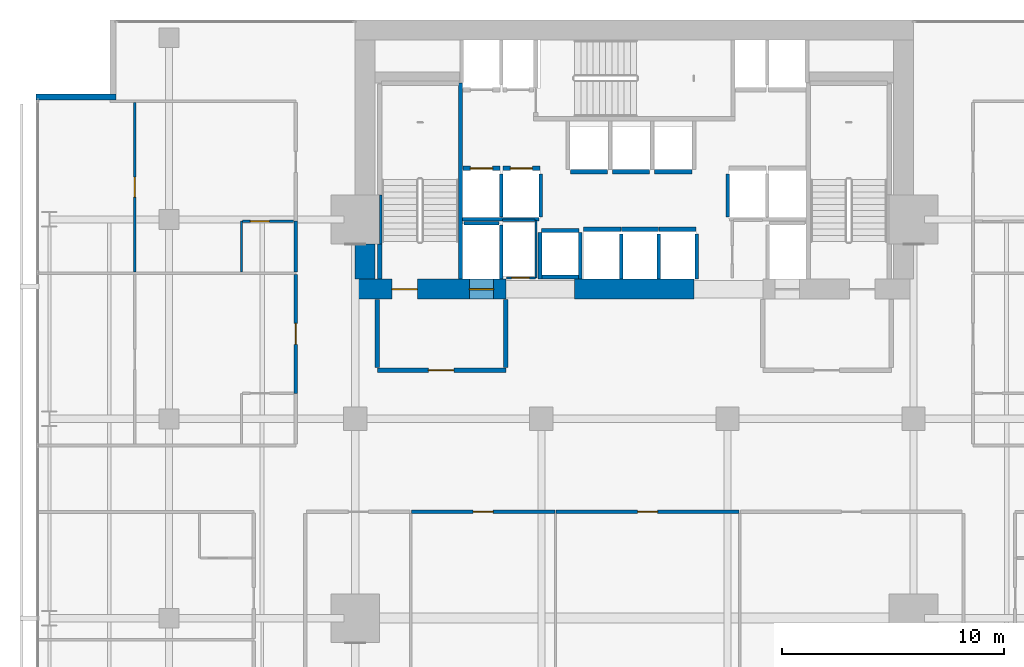
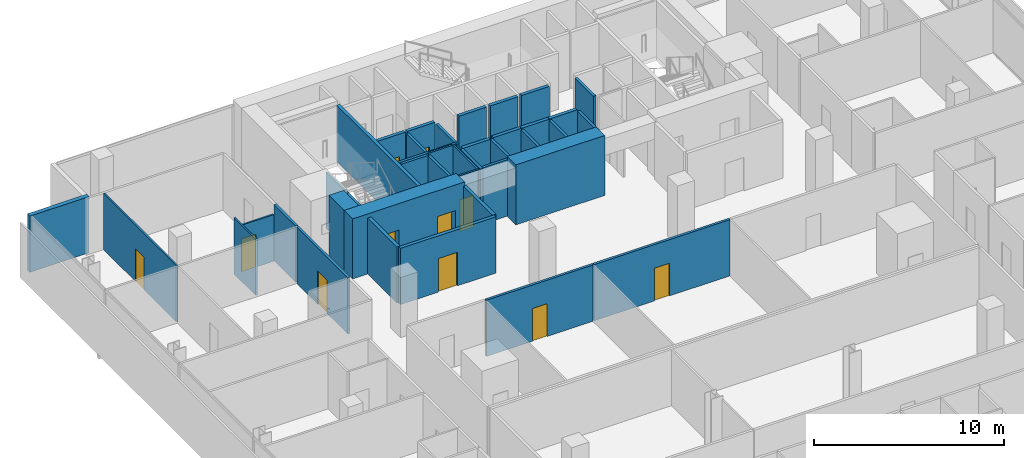
# One storey, part 35 of 40: 41 walls, 11 doors, 11 openings.
"""IFC4 building model written with IfcOpenShell, lengths in metres."""

from ifc_helpers import new_model, si_unit, direction, frame, frame_2d, origin, place, context, subcontext, project, spatial, rectangle, extrude, material, layer, layer_set, type_object, element, fill, save


model = new_model("IFC4")

# Units and contexts
model_context = context("Model", 3, precision=1e-05, world=origin(), true_north=direction((0.0, 1.0)))
body_context = subcontext(model_context, "Body", "Model", "MODEL_VIEW")
ifc_project = project(units=[si_unit("LENGTHUNIT", "METRE"), si_unit("AREAUNIT", "SQUARE_METRE"), si_unit("VOLUMEUNIT", "CUBIC_METRE"), si_unit("PLANEANGLEUNIT", "RADIAN"), si_unit("MASSUNIT", "GRAM", prefix="KILO")], contexts=[model_context])

# Site, building, storey
site_placement = place(None, origin())
site = spatial("IfcSite", under=ifc_project, at=site_placement, CompositionType="ELEMENT")
building_placement = place(site_placement, origin())
building = spatial("IfcBuilding", under=site, at=building_placement, Name="Maruvema Waterfront Hotel and Observation Tower", CompositionType="ELEMENT")
storey_placement = place(building_placement, frame((0.0, 0.0, 92.39990234375)))
storey = spatial("IfcBuildingStorey", under=building, at=storey_placement, Name="L22", CompositionType="ELEMENT", Elevation=92.39990234375)

# Wall, opening, door
ifc_material_1 = material(Name="Twin-stud acoustic gypsum drywall", Category="gypsum")
ifc_layer_1 = layer(ifc_material_1, 0.14990234375, Name="Acoustic Corridor and Suite Demising Wall 150 mm")
ifc_layer_set_1 = layer_set([ifc_layer_1], Name="Twin-stud acoustic gypsum drywall")
wall_type_1 = type_object("IfcWallType", Name="Acoustic Corridor and Suite Demising Wall 150 mm", PredefinedType="PARTITIONING", material=ifc_layer_set_1)
wall_1_placement = place(storey_placement, frame((27.73193359375, 31.800048828125, 0.0), z_axis=(0.0, 0.0, 1.0), x_axis=(1.0, 0.0, 0.0)))
wall_1 = element("IfcWall", 1, at=wall_1_placement, inside=storey, type_object=wall_type_1, Name="L22 L22-INTN Front 2 017", PredefinedType="PARTITIONING", context=body_context, shape_type="SweptSolid", body=[
    extrude(rectangle(XDim=6.47412109375, YDim=0.14990234375, at=frame_2d((3.237060546875, 0.0))), origin(), (0.0, 0.0, 1.0), 3.610107421875),
])
opening_1_placement = place(wall_1_placement, frame((2.787109375, 0.0, 0.0)))
opening_1 = element("IfcOpeningElement", 2, at=opening_1_placement, cuts=wall_1, Name="Opening DR-090", PredefinedType="OPENING", context=body_context, shape_type="SweptSolid", body=[
    extrude(rectangle(XDim=0.89990234375, YDim=2.10009765625, at=frame_2d((0.449951171875, 1.050048828125))), frame((0.0, 0.0849609375, 0.0), z_axis=(0.0, -1.0, 0.0), x_axis=(1.0, 0.0, 0.0)), (0.0, 0.0, 1.0), 0.169921875),
])
ifc_material_2 = material(Name="Solid-core lacquered timber leaf", Category="wood")
door_type_1 = type_object("IfcDoorType", Name="Accessible Toilet and Room Door 900x2100 mm", OperationType="NOTDEFINED", PredefinedType="DOOR", material=ifc_material_2)
door_1_placement = place(opening_1_placement, origin())
door_1 = element("IfcDoor", 3, at=door_1_placement, inside=storey, type_object=door_type_1, Name="L22 Art Gallery Lounge 2 Door", OperationType="SINGLE_SWING_RIGHT", OverallHeight=2.10009765625, OverallWidth=0.89990234375, PredefinedType="DOOR", context=body_context, shape_type="SweptSolid", body=[
    extrude(rectangle(XDim=0.89990234375, YDim=2.10009765625, at=frame_2d((0.449951171875, 1.050048828125))), frame((0.0, 0.02490234375, 0.0), z_axis=(0.0, -1.0, 0.0), x_axis=(1.0, 0.0, 0.0)), (0.0, 0.0, 1.0), 0.050048828125),
])
fill(opening_1, door_1)

wall_2_placement = place(storey_placement, frame((34.26611328125, 31.800048828125, 0.0), z_axis=(0.0, 0.0, 1.0), x_axis=(1.0, 0.0, 0.0)))
wall_2 = element("IfcWall", 4, at=wall_2_placement, inside=storey, type_object=wall_type_1, Name="L22 L22-INTN Front 3 019", PredefinedType="PARTITIONING", context=body_context, shape_type="SweptSolid", body=[
    extrude(rectangle(XDim=8.255859375, YDim=0.14990234375, at=frame_2d((4.1279296875, 0.0))), origin(), (0.0, 0.0, 1.0), 3.610107421875),
])
opening_2_placement = place(wall_2_placement, frame((3.677978515625, 0.0, 0.0)))
opening_2 = element("IfcOpeningElement", 5, at=opening_2_placement, cuts=wall_2, Name="Opening DR-090", PredefinedType="OPENING", context=body_context, shape_type="SweptSolid", body=[
    extrude(rectangle(XDim=0.89990234375, YDim=2.10009765625, at=frame_2d((0.449951171875, 1.050048828125))), frame((0.0, 0.0849609375, 0.0), z_axis=(0.0, -1.0, 0.0), x_axis=(1.0, 0.0, 0.0)), (0.0, 0.0, 1.0), 0.169921875),
])
door_2_placement = place(opening_2_placement, origin())
door_2 = element("IfcDoor", 6, at=door_2_placement, inside=storey, type_object=door_type_1, Name="L22 Art Gallery Lounge 3 Door", OperationType="SINGLE_SWING_LEFT", OverallHeight=2.10009765625, OverallWidth=0.89990234375, PredefinedType="DOOR", context=body_context, shape_type="SweptSolid", body=[
    extrude(rectangle(XDim=0.89990234375, YDim=2.10009765625, at=frame_2d((0.449951171875, 1.050048828125))), frame((0.0, 0.02490234375, 0.0), z_axis=(0.0, -1.0, 0.0), x_axis=(1.0, 0.0, 0.0)), (0.0, 0.0, 1.0), 0.050048828125),
])
fill(opening_2, door_2)

wall_3_placement = place(storey_placement, frame((22.52001953125, 37.14990234375, 0.0), z_axis=(0.0, 0.0, 1.0), x_axis=(0.0, 1.0, 0.0)))
wall_3 = element("IfcWall", 7, at=wall_3_placement, inside=storey, type_object=wall_type_1, Name="L22 Room L22-NW1 Corridor Wall 094", PredefinedType="PARTITIONING", context=body_context, shape_type="SweptSolid", body=[
    extrude(rectangle(XDim=5.35888671875, YDim=0.14990234375, at=frame_2d((2.679443359375, 0.0))), origin(), (0.0, 0.0, 1.0), 3.610107421875),
])
opening_3_placement = place(wall_3_placement, frame((2.204345703125, 0.0, 0.0)))
opening_3 = element("IfcOpeningElement", 8, at=opening_3_placement, cuts=wall_3, Name="Opening DR-095", PredefinedType="OPENING", context=body_context, shape_type="SweptSolid", body=[
    extrude(rectangle(XDim=0.949951171875, YDim=2.14990234375, at=frame_2d((0.47509765625, 1.074951171875))), frame((0.0, 0.0849609375, 0.0), z_axis=(0.0, -1.0, 0.0), x_axis=(1.0, 0.0, 0.0)), (0.0, 0.0, 1.0), 0.169921875),
])
ifc_material_3 = material(Name="Acoustic solid-core hardwood timber leaf", Category="wood")
door_type_2 = type_object("IfcDoorType", Name="Guestroom Entrance Fire Door 950x2150 mm", OperationType="NOTDEFINED", PredefinedType="DOOR", material=ifc_material_3)
door_3_placement = place(opening_3_placement, origin())
door_3 = element("IfcDoor", 9, at=door_3_placement, inside=storey, type_object=door_type_2, Name="L22 Room L22-NW1 Entrance Door", OperationType="SINGLE_SWING_RIGHT", OverallHeight=2.14990234375, OverallWidth=0.949951171875, PredefinedType="DOOR", context=body_context, shape_type="SweptSolid", body=[
    extrude(rectangle(XDim=0.949951171875, YDim=2.14990234375, at=frame_2d((0.47509765625, 1.074951171875))), frame((0.0, 0.02490234375, 0.0), z_axis=(0.0, -1.0, 0.0), x_axis=(1.0, 0.0, 0.0)), (0.0, 0.0, 1.0), 0.050048828125),
])
fill(opening_3, door_3)

# Walls
wall_4_placement = place(storey_placement, frame((22.52001953125, 42.628662109375, 0.0), z_axis=(0.0, 0.0, 1.0), x_axis=(0.0, 1.0, 0.0)))
element("IfcWall", 10, at=wall_4_placement, inside=storey, type_object=wall_type_1, Name="L22 Bath L22-NW2 Wall 105", PredefinedType="PARTITIONING", context=body_context, shape_type="SweptSolid", body=[
    extrude(rectangle(XDim=2.2900390625, YDim=0.14990234375, at=frame_2d((1.14501953125, 0.0))), origin(), (0.0, 0.0, 1.0), 3.610107421875),
])
ifc_material_4 = material(Name="Precast concrete C45/55", Category="concrete")
ifc_layer_2 = layer(ifc_material_4, 0.199951171875, Name="Core Shaft and Stairwell Enclosure Wall 200 mm")
ifc_layer_set_2 = layer_set([ifc_layer_2], Name="Precast concrete C45/55")
wall_type_2 = type_object("IfcWallType", Name="Core Shaft and Stairwell Enclosure Wall 200 mm", PredefinedType="SOLIDWALL", material=ifc_layer_set_2)
wall_5_placement = place(storey_placement, frame((29.949951171875, 42.300048828125, 0.0), z_axis=(0.0, 0.0, 1.0), x_axis=(0.0, 1.0, 0.0)))
element("IfcWall", 11, at=wall_5_placement, inside=storey, type_object=wall_type_2, Name="L22 Stairwell ST-01 East Shaft Wall", PredefinedType="SOLIDWALL", context=body_context, shape_type="SweptSolid", body=[
    extrude(rectangle(XDim=8.849853515625, YDim=0.199951171875, at=frame_2d((4.4248046875, 0.0))), origin(), (0.0, 0.0, 1.0), 3.610107421875),
])
wall_6_placement = place(storey_placement, frame((26.300048828125, 42.300048828125, 0.0), z_axis=(0.0, 0.0, 1.0), x_axis=(0.0, 1.0, 0.0)))
element("IfcWall", 12, at=wall_6_placement, inside=storey, type_object=wall_type_2, Name="L22 Stairwell ST-01 Shaft Lining Wall", PredefinedType="SOLIDWALL", context=body_context, shape_type="SweptSolid", body=[
    extrude(rectangle(XDim=1.579833984375, YDim=0.199951171875, at=frame_2d((0.7900390625, 0.0))), origin(), (0.0, 0.0, 1.0), 3.610107421875),
])

# Wall, opening, door
wall_7_placement = place(storey_placement, frame((30.06005859375, 47.300048828125, 0.0), z_axis=(0.0, 0.0, 1.0), x_axis=(1.0, 0.0, 0.0)))
wall_7 = element("IfcWall", 13, at=wall_7_placement, inside=storey, type_object=wall_type_2, Name="L22 Lift LF-01 Hoistway Front Wall", PredefinedType="SOLIDWALL", context=body_context, shape_type="SweptSolid", body=[
    extrude(rectangle(XDim=1.679931640625, YDim=0.199951171875, at=frame_2d((0.83984375, 0.0))), origin(), (0.0, 0.0, 1.0), 3.610107421875),
])
opening_4_placement = place(wall_7_placement, frame((0.340087890625, 0.0, 0.0)))
opening_4 = element("IfcOpeningElement", 14, at=opening_4_placement, cuts=wall_7, Name="Opening LD-01", PredefinedType="OPENING", context=body_context, shape_type="SweptSolid", body=[
    extrude(rectangle(XDim=1.0, YDim=2.14990234375, at=frame_2d((0.5, 1.074951171875))), frame((0.0, 0.10986328125, 0.0), z_axis=(0.0, -1.0, 0.0), x_axis=(1.0, 0.0, 0.0)), (0.0, 0.0, 1.0), 0.219970703125),
])
ifc_material_5 = material(Name="Brushed stainless steel Grade 316", Category="steel")
door_type_3 = type_object("IfcDoorType", Name="Passenger Lift Sliding Landing Door 1000x2150 mm", OperationType="SLIDING_TO_LEFT", PredefinedType="DOOR", material=ifc_material_5)
door_4_placement = place(opening_4_placement, origin())
door_4 = element("IfcDoor", 15, at=door_4_placement, inside=storey, type_object=door_type_3, Name="L22 Lift LF-01 Sliding Landing Door", OperationType="SLIDING_TO_LEFT", OverallHeight=2.14990234375, OverallWidth=1.0, PredefinedType="DOOR", context=body_context, shape_type="SweptSolid", body=[
    extrude(rectangle(XDim=1.0, YDim=2.14990234375, at=frame_2d((0.5, 1.074951171875))), frame((0.0, 0.02490234375, 0.0), z_axis=(0.0, -1.0, 0.0), x_axis=(1.0, 0.0, 0.0)), (0.0, 0.0, 1.0), 0.050048828125),
])
fill(opening_4, door_4)

wall_8_placement = place(storey_placement, frame((31.860107421875, 47.300048828125, 0.0), z_axis=(0.0, 0.0, 1.0), x_axis=(1.0, 0.0, 0.0)))
wall_8 = element("IfcWall", 16, at=wall_8_placement, inside=storey, type_object=wall_type_2, Name="L22 Lift LF-02 Hoistway Front Wall", PredefinedType="SOLIDWALL", context=body_context, shape_type="SweptSolid", body=[
    extrude(rectangle(XDim=1.679931640625, YDim=0.199951171875, at=frame_2d((0.83984375, 0.0))), origin(), (0.0, 0.0, 1.0), 3.610107421875),
])
opening_5_placement = place(wall_8_placement, frame((0.340087890625, 0.0, 0.0)))
opening_5 = element("IfcOpeningElement", 17, at=opening_5_placement, cuts=wall_8, Name="Opening LD-01", PredefinedType="OPENING", context=body_context, shape_type="SweptSolid", body=[
    extrude(rectangle(XDim=1.0, YDim=2.14990234375, at=frame_2d((0.5, 1.074951171875))), frame((0.0, 0.10986328125, 0.0), z_axis=(0.0, -1.0, 0.0), x_axis=(1.0, 0.0, 0.0)), (0.0, 0.0, 1.0), 0.219970703125),
])
door_5_placement = place(opening_5_placement, origin())
door_5 = element("IfcDoor", 18, at=door_5_placement, inside=storey, type_object=door_type_3, Name="L22 Lift LF-02 Sliding Landing Door", OperationType="SLIDING_TO_LEFT", OverallHeight=2.14990234375, OverallWidth=1.0, PredefinedType="DOOR", context=body_context, shape_type="SweptSolid", body=[
    extrude(rectangle(XDim=1.0, YDim=2.14990234375, at=frame_2d((0.5, 1.074951171875))), frame((0.0, 0.02490234375, 0.0), z_axis=(0.0, -1.0, 0.0), x_axis=(1.0, 0.0, 0.0)), (0.0, 0.0, 1.0), 0.050048828125),
])
fill(opening_5, door_5)

# Walls
for number, where, z_axis, x_axis, name in (
    (19, (35.510009765625, 44.550048828125, 0.0), (0.0, 0.0, 1.0), (1.0, 0.0, 0.0), "L22 Lift LF-09 Hoistway Front Wall"),
    (20, (37.2099609375, 44.550048828125, 0.0), (0.0, 0.0, 1.0), (1.0, 0.0, 0.0), "L22 Lift LF-10 Hoistway Front Wall"),
):
    element("IfcWall", number, at=place(storey_placement, frame(where, z_axis=z_axis, x_axis=x_axis)), inside=storey, type_object=wall_type_2, Name=name, PredefinedType="SOLIDWALL", context=body_context, shape_type="SweptSolid", body=[
        extrude(rectangle(XDim=1.679931640625, YDim=0.199951171875, at=frame_2d((0.83984375, 0.0))), origin(), (0.0, 0.0, 1.0), 3.610107421875),
    ])
for number, where, z_axis, x_axis, name in (
    (21, (38.909912109375, 44.550048828125, 0.0), (0.0, 0.0, 1.0), (1.0, 0.0, 0.0), "L22 Lift LF-11 Hoistway Front Wall"),
    (22, (34.909912109375, 47.14990234375, 0.0), (0.0, 0.0, 1.0), (1.0, 0.0, 0.0), "L22 Lift LF-12 Hoistway Front Wall"),
):
    element("IfcWall", number, at=place(storey_placement, frame(where, z_axis=z_axis, x_axis=x_axis)), inside=storey, type_object=wall_type_2, Name=name, PredefinedType="SOLIDWALL", context=body_context, shape_type="SweptSolid", body=[
        extrude(rectangle(XDim=1.68017578125, YDim=0.199951171875, at=frame_2d((0.840087890625, 0.0))), origin(), (0.0, 0.0, 1.0), 3.610107421875),
    ])
for number, where, z_axis, x_axis, name in (
    (23, (36.81005859375, 47.14990234375, 0.0), (0.0, 0.0, 1.0), (1.0, 0.0, 0.0), "L22 Lift LF-13 Hoistway Front Wall"),
    (24, (38.7099609375, 47.14990234375, 0.0), (0.0, 0.0, 1.0), (1.0, 0.0, 0.0), "L22 Lift LF-14 Hoistway Front Wall"),
    (25, (33.610107421875, 44.5, 0.0), (0.0, 0.0, 1.0), (1.0, 0.0, 0.0), "L22 Lift LF-15 Hoistway Front Wall"),
):
    element("IfcWall", number, at=place(storey_placement, frame(where, z_axis=z_axis, x_axis=x_axis)), inside=storey, type_object=wall_type_2, Name=name, PredefinedType="SOLIDWALL", context=body_context, shape_type="SweptSolid", body=[
        extrude(rectangle(XDim=1.679931640625, YDim=0.199951171875, at=frame_2d((0.83984375, 0.0))), origin(), (0.0, 0.0, 1.0), 3.610107421875),
    ])

# Wall, openings, doors
ifc_material_6 = material(Name="Concrete C80/95", Category="concrete")
ifc_layer_3 = layer(ifc_material_6, 0.89990234375, Name="Core Shear Wall 900 mm")
ifc_layer_set_3 = layer_set([ifc_layer_3], Name="Concrete C80/95")
wall_type_3 = type_object("IfcWallType", Name="Core Shear Wall 900 mm", PredefinedType="SHEAR", material=ifc_layer_set_3)
wall_9_placement = place(storey_placement, frame((25.199951171875, 41.85009765625, 0.0), z_axis=(0.0, 0.0, 1.0), x_axis=(1.0, 0.0, 0.0)))
wall_9 = element("IfcWall", 26, at=wall_9_placement, inside=storey, type_object=wall_type_3, Name="L22 South-West Core Shear Wall", PredefinedType="SHEAR", context=body_context, shape_type="SweptSolid", body=[
    extrude(rectangle(XDim=6.800048828125, YDim=0.89990234375, at=frame_2d((3.39990234375, 0.0))), origin(), (0.0, 0.0, 1.0), 3.85009765625),
])
opening_6_placement = place(wall_9_placement, frame((1.64990234375, 0.0, 0.0)))
opening_6 = element("IfcOpeningElement", 27, at=opening_6_placement, cuts=wall_9, Name="Opening SD-01", PredefinedType="OPENING", context=body_context, shape_type="SweptSolid", body=[
    extrude(rectangle(XDim=1.14990234375, YDim=2.14990234375, at=frame_2d((0.574951171875, 1.074951171875))), frame((0.0, 0.4599609375, 0.0), z_axis=(0.0, -1.0, 0.0), x_axis=(1.0, 0.0, 0.0)), (0.0, 0.0, 1.0), 0.919921875),
])
opening_7_placement = place(wall_9_placement, frame((5.14990234375, 0.0, 0.0)))
opening_7 = element("IfcOpeningElement", 28, at=opening_7_placement, cuts=wall_9, Name="Opening LD-03", PredefinedType="OPENING", context=body_context, shape_type="SweptSolid", body=[
    extrude(rectangle(XDim=1.10009765625, YDim=2.199951171875, at=frame_2d((0.550048828125, 1.10009765625))), frame((0.0, 0.4599609375, 0.0), z_axis=(0.0, -1.0, 0.0), x_axis=(1.0, 0.0, 0.0)), (0.0, 0.0, 1.0), 0.919921875),
])
ifc_material_7 = material(Name="Fire-rated galvanised steel leaf", Category="steel")
door_type_4 = type_object("IfcDoorType", Name="Exit Stair Fire Door 1150x2150 mm", OperationType="NOTDEFINED", PredefinedType="DOOR", material=ifc_material_7)
door_6_placement = place(opening_6_placement, origin())
door_6 = element("IfcDoor", 29, at=door_6_placement, inside=storey, type_object=door_type_4, Name="L22 Exit Stair ST-01 Fire Door", OperationType="SINGLE_SWING_LEFT", OverallHeight=2.14990234375, OverallWidth=1.14990234375, PredefinedType="DOOR", context=body_context, shape_type="SweptSolid", body=[
    extrude(rectangle(XDim=1.14990234375, YDim=2.14990234375, at=frame_2d((0.574951171875, 1.074951171875))), frame((0.0, 0.02490234375, 0.0), z_axis=(0.0, -1.0, 0.0), x_axis=(1.0, 0.0, 0.0)), (0.0, 0.0, 1.0), 0.050048828125),
])
fill(opening_6, door_6)
ifc_material_8 = material(Name="Brushed stainless steel Grade 316", Category="steel")
door_type_5 = type_object("IfcDoorType", Name="Firefighting Lift Sliding Landing Door 1100x2200 mm", OperationType="SLIDING_TO_LEFT", PredefinedType="DOOR", material=ifc_material_8)
door_7_placement = place(opening_7_placement, frame((1.10009765625, 0.0, 0.0), z_axis=(0.0, 0.0, 1.0), x_axis=(-1.0, 0.0, 0.0)))
door_7 = element("IfcDoor", 30, at=door_7_placement, inside=storey, type_object=door_type_5, Name="L22 Firefighting Lift FL-01 Landing Door", OperationType="SLIDING_TO_LEFT", OverallHeight=2.199951171875, OverallWidth=1.10009765625, PredefinedType="DOOR", context=body_context, shape_type="SweptSolid", body=[
    extrude(rectangle(XDim=1.10009765625, YDim=2.199951171875, at=frame_2d((0.550048828125, 1.10009765625))), frame((0.0, 0.02490234375, 0.0), z_axis=(0.0, -1.0, 0.0), x_axis=(1.0, 0.0, 0.0)), (0.0, 0.0, 1.0), 0.050048828125),
])
fill(opening_7, door_7)

# Walls
wall_10_placement = place(storey_placement, frame((35.10009765625, 41.85009765625, 0.0), z_axis=(0.0, 0.0, 1.0), x_axis=(1.0, 0.0, 0.0)))
element("IfcWall", 31, at=wall_10_placement, inside=storey, type_object=wall_type_3, Name="L22 South-Central Core Shear Wall", PredefinedType="SHEAR", context=body_context, shape_type="SweptSolid", body=[
    extrude(rectangle(XDim=5.39990234375, YDim=0.89990234375, at=frame_2d((2.699951171875, 0.0))), origin(), (0.0, 0.0, 1.0), 3.85009765625),
])
wall_11_placement = place(storey_placement, frame((25.64990234375, 42.300048828125, 0.0), z_axis=(0.0, 0.0, 1.0), x_axis=(0.0, 1.0, 0.0)))
element("IfcWall", 32, at=wall_11_placement, inside=storey, type_object=wall_type_3, Name="L22 West-South Core Shear Wall", PredefinedType="SHEAR", context=body_context, shape_type="SweptSolid", body=[
    extrude(rectangle(XDim=1.599853515625, YDim=0.89990234375, at=frame_2d((0.7998046875, 0.0))), origin(), (0.0, 0.0, 1.0), 3.85009765625),
])

# Wall, opening, door
ifc_material_9 = material(Name="Moisture-resistant cement-board drywall", Category="gypsum")
ifc_layer_4 = layer(ifc_material_9, 0.10009765625, Name="En-Suite Moisture-Resistant Partition 100 mm")
ifc_layer_set_4 = layer_set([ifc_layer_4], Name="Moisture-resistant cement-board drywall")
wall_type_4 = type_object("IfcWallType", Name="En-Suite Moisture-Resistant Partition 100 mm", PredefinedType="PARTITIONING", material=ifc_layer_set_4)
wall_12_placement = place(storey_placement, frame((32.02001953125, 42.360107421875, 0.0), z_axis=(0.0, 0.0, 1.0), x_axis=(1.0, 0.0, 0.0)))
wall_12 = element("IfcWall", 33, at=wall_12_placement, inside=storey, type_object=wall_type_4, Name="L22 Telecom Riser South Wall 007", PredefinedType="PARTITIONING", context=body_context, shape_type="SweptSolid", body=[
    extrude(rectangle(XDim=1.320068359375, YDim=0.10009765625, at=frame_2d((0.66015625, 0.0))), origin(), (0.0, 0.0, 1.0), 3.610107421875),
])
opening_8_placement = place(wall_12_placement, frame((0.239990234375, 0.0, 0.0)))
opening_8 = element("IfcOpeningElement", 34, at=opening_8_placement, cuts=wall_12, Name="Opening DR-080", PredefinedType="OPENING", context=body_context, shape_type="SweptSolid", body=[
    extrude(rectangle(XDim=0.800048828125, YDim=2.050048828125, at=frame_2d((0.39990234375, 1.02490234375))), frame((0.0, 0.06005859375, 0.0), z_axis=(0.0, -1.0, 0.0), x_axis=(1.0, 0.0, 0.0)), (0.0, 0.0, 1.0), 0.1201171875),
])
ifc_material_10 = material(Name="Powder-coated steel access leaf", Category="steel")
door_type_6 = type_object("IfcDoorType", Name="Riser and Service Cupboard Door 800x2050 mm", OperationType="NOTDEFINED", PredefinedType="DOOR", material=ifc_material_10)
door_8_placement = place(opening_8_placement, frame((0.800048828125, 0.0, 0.0), z_axis=(0.0, 0.0, 1.0), x_axis=(-1.0, 0.0, 0.0)))
door_8 = element("IfcDoor", 35, at=door_8_placement, inside=storey, type_object=door_type_6, Name="L22 Telecom Riser Door", OperationType="SINGLE_SWING_LEFT", OverallHeight=2.050048828125, OverallWidth=0.800048828125, PredefinedType="DOOR", context=body_context, shape_type="SweptSolid", body=[
    extrude(rectangle(XDim=0.800048828125, YDim=2.050048828125, at=frame_2d((0.39990234375, 1.02490234375))), frame((0.0, 0.02490234375, 0.0), z_axis=(0.0, -1.0, 0.0), x_axis=(1.0, 0.0, 0.0)), (0.0, 0.0, 1.0), 0.050048828125),
])
fill(opening_8, door_8)

# Walls
wall_13_placement = place(storey_placement, frame((31.840087890625, 44.9599609375, 0.0), z_axis=(0.0, 0.0, 1.0), x_axis=(1.0, 0.0, 0.0)))
element("IfcWall", 36, at=wall_13_placement, inside=storey, type_object=wall_type_4, Name="L22 Telecom Riser North Wall 008", PredefinedType="PARTITIONING", context=body_context, shape_type="SweptSolid", body=[
    extrude(rectangle(XDim=1.47998046875, YDim=0.10009765625, at=frame_2d((0.739990234375, 0.0))), origin(), (0.0, 0.0, 1.0), 3.610107421875),
])
wall_14_placement = place(storey_placement, frame((33.360107421875, 42.360107421875, 0.0), z_axis=(0.0, 0.0, 1.0), x_axis=(0.0, 1.0, 0.0)))
element("IfcWall", 37, at=wall_14_placement, inside=storey, type_object=wall_type_4, Name="L22 Telecom Riser East Wall 009", PredefinedType="PARTITIONING", context=body_context, shape_type="SweptSolid", body=[
    extrude(rectangle(XDim=2.579833984375, YDim=0.10009765625, at=frame_2d((1.2900390625, 0.0))), origin(), (0.0, 0.0, 1.0), 3.610107421875),
])
wall_15_placement = place(storey_placement, frame((20.070068359375, 42.628662109375, 0.0), z_axis=(0.0, 0.0, 1.0), x_axis=(0.0, 1.0, 0.0)))
element("IfcWall", 38, at=wall_15_placement, inside=storey, type_object=wall_type_4, Name="L22 En-Suite L22-NW2 W 107", PredefinedType="PARTITIONING", context=body_context, shape_type="SweptSolid", body=[
    extrude(rectangle(XDim=2.2900390625, YDim=0.10009765625, at=frame_2d((1.14501953125, 0.0))), origin(), (0.0, 0.0, 1.0), 3.610107421875),
])

# Wall, opening, door
wall_16_placement = place(storey_placement, frame((20.1201171875, 44.918701171875, 0.0), z_axis=(0.0, 0.0, 1.0), x_axis=(1.0, 0.0, 0.0)))
wall_16 = element("IfcWall", 39, at=wall_16_placement, inside=storey, type_object=wall_type_4, Name="L22 En-Suite L22-NW2 N 108", PredefinedType="PARTITIONING", context=body_context, shape_type="SweptSolid", body=[
    extrude(rectangle(XDim=2.2998046875, YDim=0.10009765625, at=frame_2d((1.14990234375, 0.0))), origin(), (0.0, 0.0, 1.0), 2.9990234375),
])
opening_9_placement = place(wall_16_placement, frame((0.35009765625, 0.0, 0.0)))
opening_9 = element("IfcOpeningElement", 40, at=opening_9_placement, cuts=wall_16, Name="Opening DR-085", PredefinedType="OPENING", context=body_context, shape_type="SweptSolid", body=[
    extrude(rectangle(XDim=0.85009765625, YDim=2.10009765625, at=frame_2d((0.425048828125, 1.050048828125))), frame((0.0, 0.06005859375, 0.0), z_axis=(0.0, -1.0, 0.0), x_axis=(1.0, 0.0, 0.0)), (0.0, 0.0, 1.0), 0.1201171875),
])
ifc_material_11 = material(Name="Moisture-resistant solid timber leaf", Category="wood")
door_type_7 = type_object("IfcDoorType", Name="En-Suite Bathroom Door 850x2100 mm", OperationType="NOTDEFINED", PredefinedType="DOOR", material=ifc_material_11)
door_9_placement = place(opening_9_placement, origin())
door_9 = element("IfcDoor", 41, at=door_9_placement, inside=storey, type_object=door_type_7, Name="L22 En-Suite L22-NW2 Door", OperationType="SINGLE_SWING_LEFT", OverallHeight=2.10009765625, OverallWidth=0.85009765625, PredefinedType="DOOR", context=body_context, shape_type="SweptSolid", body=[
    extrude(rectangle(XDim=0.85009765625, YDim=2.10009765625, at=frame_2d((0.425048828125, 1.050048828125))), frame((0.0, 0.02490234375, 0.0), z_axis=(0.0, -1.0, 0.0), x_axis=(1.0, 0.0, 0.0)), (0.0, 0.0, 1.0), 0.050048828125),
])
fill(opening_9, door_9)

wall_17_placement = place(storey_placement, frame((15.24951171875, 42.628662109375, 0.0), z_axis=(0.0, 0.0, 1.0), x_axis=(0.0, 1.0, 0.0)))
wall_17 = element("IfcWall", 42, at=wall_17_placement, inside=storey, type_object=wall_type_4, Name="L22 Suite L22-NW2 Split 109", PredefinedType="PARTITIONING", context=body_context, shape_type="SweptSolid", body=[
    extrude(rectangle(XDim=7.64892578125, YDim=0.10009765625, at=frame_2d((3.824462890625, 0.0))), origin(), (0.0, 0.0, 1.0), 3.610107421875),
])
opening_10_placement = place(wall_17_placement, frame((3.37451171875, 0.0, 0.0)))
opening_10 = element("IfcOpeningElement", 43, at=opening_10_placement, cuts=wall_17, Name="Opening DR-090", PredefinedType="OPENING", context=body_context, shape_type="SweptSolid", body=[
    extrude(rectangle(XDim=0.89990234375, YDim=2.10009765625, at=frame_2d((0.449951171875, 1.050048828125))), frame((0.0, 0.06005859375, 0.0), z_axis=(0.0, -1.0, 0.0), x_axis=(1.0, 0.0, 0.0)), (0.0, 0.0, 1.0), 0.1201171875),
])
door_10_placement = place(opening_10_placement, origin())
door_10 = element("IfcDoor", 44, at=door_10_placement, inside=storey, type_object=door_type_1, Name="L22 Suite L22-NW2 Bedroom Door", OperationType="SINGLE_SWING_LEFT", OverallHeight=2.10009765625, OverallWidth=0.89990234375, PredefinedType="DOOR", context=body_context, shape_type="SweptSolid", body=[
    extrude(rectangle(XDim=0.89990234375, YDim=2.10009765625, at=frame_2d((0.449951171875, 1.050048828125))), frame((0.0, 0.02490234375, 0.0), z_axis=(0.0, -1.0, 0.0), x_axis=(1.0, 0.0, 0.0)), (0.0, 0.0, 1.0), 0.050048828125),
])
fill(opening_10, door_10)

# Wall
ifc_material_12 = material(Name="Precast concrete C45/55 with honed Pernambuco granite facing", Category="masonry")
ifc_layer_5 = layer(ifc_material_12, 0.260009765625, Name="Exterior Granite Clad Spandrel and Pier Wall 260 mm")
ifc_layer_set_5 = layer_set([ifc_layer_5], Name="Precast concrete C45/55 with honed Pernambuco granite facing")
wall_type_5 = type_object("IfcWallType", Name="Exterior Granite Clad Spandrel and Pier Wall 260 mm", PredefinedType="SOLIDWALL", material=ifc_layer_set_5)
wall_18_placement = place(storey_placement, frame((10.800048828125, 50.530029296875, 0.0), z_axis=(0.0, 0.0, 1.0), x_axis=(1.0, 0.0, 0.0)))
element("IfcWall", 45, at=wall_18_placement, inside=storey, type_object=wall_type_5, Name="L22 Corner Notch Granite Pier Wall NW2", PredefinedType="SOLIDWALL", context=body_context, shape_type="SweptSolid", body=[
    extrude(rectangle(XDim=3.599853515625, YDim=0.260009765625, at=frame_2d((1.7998046875, 0.0))), origin(), (0.0, 0.0, 1.0), 3.610107421875),
])

# Wall, opening, door
ifc_material_13 = material(Name="Autoclaved cellular concrete blockwork", Category="masonry")
ifc_layer_6 = layer(ifc_material_13, 0.199951171875, Name="Fire Compartment Masonry Wall 200 mm")
ifc_layer_set_6 = layer_set([ifc_layer_6], Name="Autoclaved cellular concrete blockwork")
wall_type_6 = type_object("IfcWallType", Name="Fire Compartment Masonry Wall 200 mm", PredefinedType="PARTITIONING", material=ifc_layer_set_6)
wall_19_placement = place(storey_placement, frame((26.199951171875, 38.199951171875, 0.0), z_axis=(0.0, 0.0, 1.0), x_axis=(1.0, 0.0, 0.0)))
wall_19 = element("IfcWall", 46, at=wall_19_placement, inside=storey, type_object=wall_type_6, Name="L22 FFL West South Wall 001", PredefinedType="PARTITIONING", context=body_context, shape_type="SweptSolid", body=[
    extrude(rectangle(XDim=5.800048828125, YDim=0.199951171875, at=frame_2d((2.89990234375, 0.0))), origin(), (0.0, 0.0, 1.0), 3.610107421875),
])
opening_11_placement = place(wall_19_placement, frame((2.300048828125, 0.0, 0.0)))
opening_11 = element("IfcOpeningElement", 47, at=opening_11_placement, cuts=wall_19, Name="Opening FD-115", PredefinedType="OPENING", context=body_context, shape_type="SweptSolid", body=[
    extrude(rectangle(XDim=1.14990234375, YDim=2.14990234375, at=frame_2d((0.574951171875, 1.074951171875))), frame((0.0, 0.10986328125, 0.0), z_axis=(0.0, -1.0, 0.0), x_axis=(1.0, 0.0, 0.0)), (0.0, 0.0, 1.0), 0.219970703125),
])
ifc_material_14 = material(Name="Fire-rated galvanised steel and vision glass", Category="steel")
door_type_8 = type_object("IfcDoorType", Name="Firefighting Lobby Fire Door 1150x2150 mm", OperationType="NOTDEFINED", PredefinedType="DOOR", material=ifc_material_14)
door_11_placement = place(opening_11_placement, frame((1.14990234375, 0.0, 0.0), z_axis=(0.0, 0.0, 1.0), x_axis=(-1.0, 0.0, 0.0)))
door_11 = element("IfcDoor", 48, at=door_11_placement, inside=storey, type_object=door_type_8, Name="L22 Firefighting Lobby West Door", OperationType="SINGLE_SWING_LEFT", OverallHeight=2.14990234375, OverallWidth=1.14990234375, PredefinedType="DOOR", context=body_context, shape_type="SweptSolid", body=[
    extrude(rectangle(XDim=1.14990234375, YDim=2.14990234375, at=frame_2d((0.574951171875, 1.074951171875))), frame((0.0, 0.02490234375, 0.0), z_axis=(0.0, -1.0, 0.0), x_axis=(1.0, 0.0, 0.0)), (0.0, 0.0, 1.0), 0.050048828125),
])
fill(opening_11, door_11)

# Walls
for number, where, z_axis, x_axis, name in (
    (49, (26.199951171875, 38.31005859375, 0.0), (0.0, 0.0, 1.0), (0.0, 1.0, 0.0), "L22 FFL West West Wall 002"),
    (50, (32.0, 38.31005859375, 0.0), (0.0, 0.0, 1.0), (0.0, 1.0, 0.0), "L22 FFL West East Wall 003"),
):
    element("IfcWall", number, at=place(storey_placement, frame(where, z_axis=z_axis, x_axis=x_axis)), inside=storey, type_object=wall_type_6, Name=name, PredefinedType="PARTITIONING", context=body_context, shape_type="SweptSolid", body=[
        extrude(rectangle(XDim=3.06982421875, YDim=0.199951171875, at=frame_2d((1.534912109375, 0.0))), origin(), (0.0, 0.0, 1.0), 3.610107421875),
    ])
ifc_material_15 = material(Name="Precast concrete C45/55", Category="concrete")
ifc_layer_7 = layer(ifc_material_15, 0.159912109375, Name="Lift Hoistway Divider Wall 160 mm")
ifc_layer_set_7 = layer_set([ifc_layer_7], Name="Precast concrete C45/55")
wall_type_7 = type_object("IfcWallType", Name="Lift Hoistway Divider Wall 160 mm", PredefinedType="SOLIDWALL", material=ifc_layer_set_7)
wall_20_placement = place(storey_placement, frame((30.10009765625, 44.830078125, 0.0), z_axis=(0.0, 0.0, 1.0), x_axis=(1.0, 0.0, 0.0)))
element("IfcWall", 51, at=wall_20_placement, inside=storey, type_object=wall_type_7, Name="L22 Lift FL-01 Rear Hoistway Wall", PredefinedType="SOLIDWALL", context=body_context, shape_type="SweptSolid", body=[
    extrude(rectangle(XDim=1.599853515625, YDim=0.159912109375, at=frame_2d((0.7998046875, 0.0))), origin(), (0.0, 0.0, 1.0), 3.610107421875),
])
wall_21_placement = place(storey_placement, frame((31.780029296875, 42.300048828125, 0.0), z_axis=(0.0, 0.0, 1.0), x_axis=(0.0, 1.0, 0.0)))
element("IfcWall", 52, at=wall_21_placement, inside=storey, type_object=wall_type_7, Name="L22 Lift FL-01 Inner Hoistway Wall", PredefinedType="SOLIDWALL", context=body_context, shape_type="SweptSolid", body=[
    extrude(rectangle(XDim=2.43994140625, YDim=0.159912109375, at=frame_2d((1.219970703125, 0.0))), origin(), (0.0, 0.0, 1.0), 3.610107421875),
])
for number, where, z_axis, x_axis, name in (
    (53, (31.800048828125, 45.10009765625, 0.0), (0.0, 0.0, 1.0), (0.0, 1.0, 0.0), "L22 Hoistway Divider Wall"),
    (54, (33.580078125, 45.10009765625, 0.0), (0.0, 0.0, 1.0), (0.0, 1.0, 0.0), "L22 Hoistway Divider Wall"),
):
    element("IfcWall", number, at=place(storey_placement, frame(where, z_axis=z_axis, x_axis=x_axis)), inside=storey, type_object=wall_type_7, Name=name, PredefinedType="SOLIDWALL", context=body_context, shape_type="SweptSolid", body=[
        extrude(rectangle(XDim=1.949951171875, YDim=0.159912109375, at=frame_2d((0.97509765625, 0.0))), origin(), (0.0, 0.0, 1.0), 3.610107421875),
    ])
wall_22_placement = place(storey_placement, frame((30.050048828125, 45.010009765625, 0.0), z_axis=(0.0, 0.0, 1.0), x_axis=(1.0, 0.0, 0.0)))
element("IfcWall", 55, at=wall_22_placement, inside=storey, type_object=wall_type_7, Name="L22 Hoistway Divider Wall", PredefinedType="SOLIDWALL", context=body_context, shape_type="SweptSolid", body=[
    extrude(rectangle(XDim=3.449951171875, YDim=0.159912109375, at=frame_2d((1.72509765625, 0.0))), origin(), (0.0, 0.0, 1.0), 3.610107421875),
])
wall_23_placement = place(storey_placement, frame((42.02001953125, 45.10009765625, 0.0), z_axis=(0.0, 0.0, 1.0), x_axis=(0.0, 1.0, 0.0)))
element("IfcWall", 56, at=wall_23_placement, inside=storey, type_object=wall_type_7, Name="L22 Hoistway Divider Wall", PredefinedType="SOLIDWALL", context=body_context, shape_type="SweptSolid", body=[
    extrude(rectangle(XDim=1.949951171875, YDim=0.159912109375, at=frame_2d((0.97509765625, 0.0))), origin(), (0.0, 0.0, 1.0), 3.610107421875),
])
for number, where, z_axis, x_axis, name in (
    (57, (37.199951171875, 42.300048828125, 0.0), (0.0, 0.0, 1.0), (0.0, 1.0, 0.0), "L22 Hoistway Divider Wall"),
    (58, (38.89990234375, 42.300048828125, 0.0), (0.0, 0.0, 1.0), (0.0, 1.0, 0.0), "L22 Hoistway Divider Wall"),
    (59, (40.6201171875, 42.300048828125, 0.0), (0.0, 0.0, 1.0), (0.0, 1.0, 0.0), "L22 Hoistway Divider Wall"),
):
    element("IfcWall", number, at=place(storey_placement, frame(where, z_axis=z_axis, x_axis=x_axis)), inside=storey, type_object=wall_type_7, Name=name, PredefinedType="SOLIDWALL", context=body_context, shape_type="SweptSolid", body=[
        extrude(rectangle(XDim=2.050048828125, YDim=0.159912109375, at=frame_2d((1.02490234375, 0.0))), origin(), (0.0, 0.0, 1.0), 3.610107421875),
    ])
for number, where, z_axis, x_axis, name in (
    (60, (33.5400390625, 42.300048828125, 0.0), (0.0, 0.0, 1.0), (0.0, 1.0, 0.0), "L22 Hoistway Divider Wall"),
    (61, (35.360107421875, 42.300048828125, 0.0), (0.0, 0.0, 1.0), (0.0, 1.0, 0.0), "L22 Hoistway Divider Wall"),
):
    element("IfcWall", number, at=place(storey_placement, frame(where, z_axis=z_axis, x_axis=x_axis)), inside=storey, type_object=wall_type_7, Name=name, PredefinedType="SOLIDWALL", context=body_context, shape_type="SweptSolid", body=[
        extrude(rectangle(XDim=2.099853515625, YDim=0.159912109375, at=frame_2d((1.0498046875, 0.0))), origin(), (0.0, 0.0, 1.0), 3.610107421875),
    ])
wall_24_placement = place(storey_placement, frame((33.6201171875, 42.39990234375, 0.0), z_axis=(0.0, 0.0, 1.0), x_axis=(1.0, 0.0, 0.0)))
element("IfcWall", 62, at=wall_24_placement, inside=storey, type_object=wall_type_7, Name="L22 Hoistway Divider Wall", PredefinedType="SOLIDWALL", context=body_context, shape_type="SweptSolid", body=[
    extrude(rectangle(XDim=1.659912109375, YDim=0.159912109375, at=frame_2d((0.830078125, 0.0))), origin(), (0.0, 0.0, 1.0), 3.610107421875),
])
ifc_material_16 = material(Name="Precast concrete C45/55", Category="concrete")
ifc_layer_8 = layer(ifc_material_16, 0.10009765625, Name="Stairwell Stringer Cheek Wall 100 mm")
ifc_layer_set_8 = layer_set([ifc_layer_8], Name="Precast concrete C45/55")
wall_type_8 = type_object("IfcWallType", Name="Stairwell Stringer Cheek Wall 100 mm", PredefinedType="SOLIDWALL", material=ifc_layer_set_8)
wall_25_placement = place(storey_placement, frame((26.35205078125, 43.89990234375, 0.0), z_axis=(0.0, 0.0, 1.0), x_axis=(0.0, 1.0, 0.0)))
element("IfcWall", 63, at=wall_25_placement, inside=storey, type_object=wall_type_8, Name="L22 Stairwell ST-01 Mega-Column Cheek Wall", PredefinedType="SOLIDWALL", context=body_context, shape_type="SweptSolid", body=[
    extrude(rectangle(XDim=2.2001953125, YDim=0.10009765625, at=frame_2d((1.10009765625, 0.0))), origin(), (0.0, 0.0, 1.0), 3.610107421875),
])

save(model, "model.ifc")
